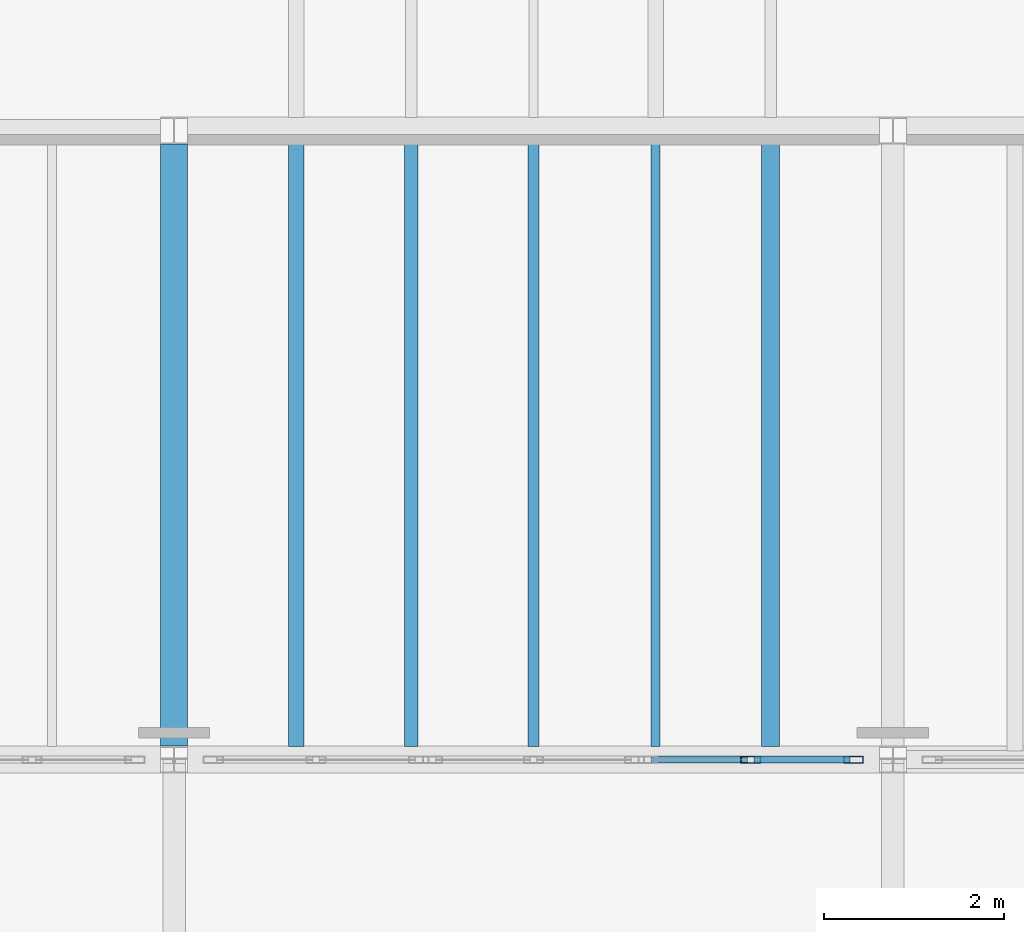
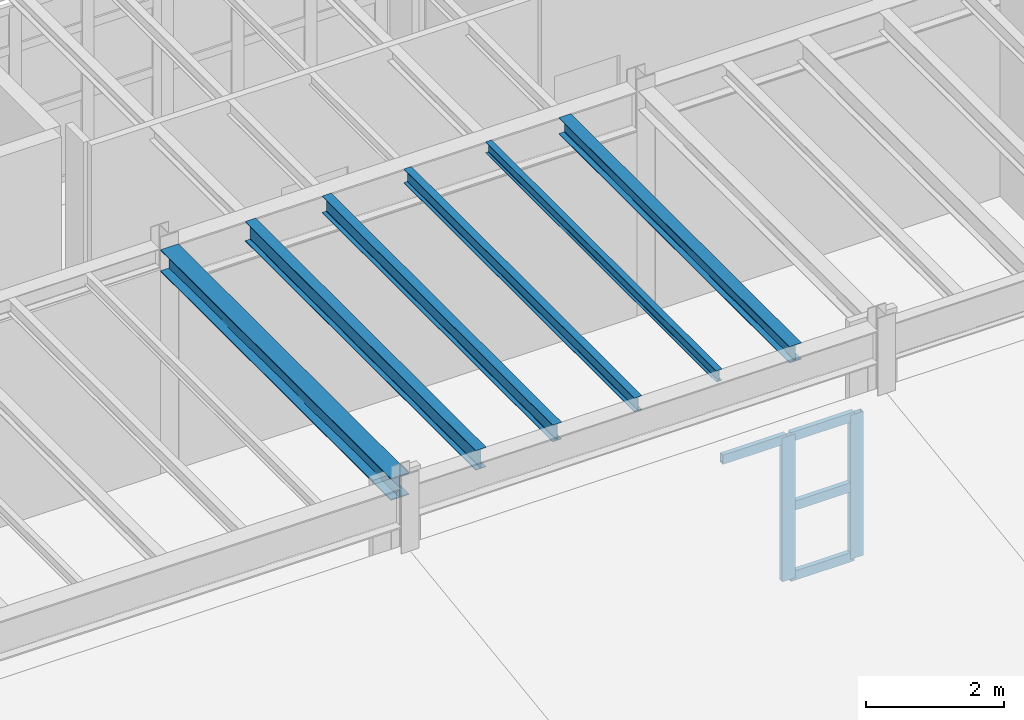
# One storey, part 9 of 77: 6 beams, 6 members, 1 element without a shape of its own.
"""IFC4 building model written with IfcOpenShell, lengths in metres."""

from ifc_helpers import new_model, si_unit, direction, frame, origin, origin_2d, place, context, subcontext, project, spatial, hollow_rectangle, i_section, extrude, material, material_profile, profile_set, type_object, element, aggregate, save


model = new_model("IFC4")

# Units and contexts
model_context = context("Model", 3, precision=1e-05, world=origin(), true_north=direction((0.0, 1.0)))
body_context = subcontext(model_context, "Body", "Model", "MODEL_VIEW")
ifc_project = project(units=[si_unit("LENGTHUNIT", "METRE"), si_unit("AREAUNIT", "SQUARE_METRE"), si_unit("VOLUMEUNIT", "CUBIC_METRE"), si_unit("PLANEANGLEUNIT", "RADIAN"), si_unit("MASSUNIT", "GRAM", prefix="KILO"), si_unit("THERMODYNAMICTEMPERATUREUNIT", "KELVIN"), si_unit("POWERUNIT", "WATT")], contexts=[model_context])

# Site, building, storey
site_placement = place(None, origin())
site = spatial("IfcSite", under=ifc_project, at=site_placement, CompositionType="ELEMENT")
building_placement = place(site_placement, origin())
building = spatial("IfcBuilding", under=site, at=building_placement, Name="Zhenchuan Central Fire Station", CompositionType="ELEMENT")
storey_placement = place(building_placement, frame((0.0, 0.0, 10.050048828125)))
storey = spatial("IfcBuildingStorey", under=building, at=storey_placement, Name="L03", CompositionType="ELEMENT", Elevation=10.050048828125)

# Beam
ifc_material_1 = material(Name="Steel Q355B", Category="steel")
ifc_material_profile_1 = material_profile(ifc_material_1, i_section(OverallWidth=0.300048828125, OverallDepth=0.389892578125, WebThickness=0.010009765625, FlangeThickness=0.01611328125, FilletRadius=0.02001953125, at=origin_2d()), Name="HM 390x300")
ifc_profile_set_1 = profile_set([ifc_material_profile_1], Name="Steel Q355B")
beam_type_1 = type_object("IfcBeamType", Name="BM-HM390-INT", PredefinedType="BEAM", material=ifc_profile_set_1)
beam_1_placement = place(storey_placement, frame((8.0, 42.64990234375, 3.784912109375), z_axis=(0.0, 1.0, 0.0), x_axis=(-1.0, 0.0, 0.0)))
element("IfcBeam", 1, at=beam_1_placement, inside=storey, type_object=beam_type_1, Name="L04 Girder NS 0393", PredefinedType="BEAM", context=body_context, shape_type="SweptSolid", body=[
    extrude(i_section(OverallWidth=0.300048828125, OverallDepth=0.389892578125, WebThickness=0.010009765625, FlangeThickness=0.01611328125, FilletRadius=0.02001953125, at=origin_2d()), origin(), (0.0, 0.0, 1.0), 6.7001953125),
])

# Curtain wall, members
ifc_material_2 = material(Name="Anodised aluminium and low-E glazing", Category="aluminium")
curtain_wall_type = type_object("IfcCurtainWallType", Name="CW-MOD-21", PredefinedType="USERDEFINED", material=ifc_material_2)
curtain_wall_placement = place(storey_placement, origin())
curtain_wall = element("IfcCurtainWall", 2, at=curtain_wall_placement, inside=storey, type_object=curtain_wall_type, Name="L03 Unitised Curtain Wall 042", ObjectType="UNITISED GLAZING", PredefinedType="USERDEFINED")
ifc_material_3 = material(Name="Anodised aluminium EN AW-6063", Category="aluminium")
ifc_material_profile_2 = material_profile(ifc_material_3, hollow_rectangle(XDim=0.080078125, YDim=0.219970703125, WallThickness=0.005615234375, at=origin_2d()), Name="ALU-M 220x80")
ifc_profile_set_2 = profile_set([ifc_material_profile_2], Name="Anodised aluminium EN AW-6063")
member_type_1 = type_object("IfcMemberType", Name="CW-MUL200", PredefinedType="MULLION", material=ifc_profile_set_2)
member_1_placement = place(storey_placement, frame((14.4189453125, 42.5, -0.004150390625), z_axis=(0.0, 0.0, 1.0), x_axis=(0.0, 1.0, 0.0)))
member_1 = element("IfcMember", 3, at=member_1_placement, type_object=member_type_1, Name="CW-21 mullion 2", PredefinedType="MULLION", context=body_context, shape_type="SweptSolid", body=[
    extrude(hollow_rectangle(XDim=0.080078125, YDim=0.219970703125, WallThickness=0.005615234375, at=origin_2d()), origin(), (0.0, 0.0, 1.0), 2.55419921875),
])
member_2_placement = place(storey_placement, frame((15.5625, 42.5, -0.004150390625), z_axis=(0.0, 0.0, 1.0), x_axis=(0.0, 1.0, 0.0)))
member_2 = element("IfcMember", 4, at=member_2_placement, type_object=member_type_1, Name="CW-21 mullion 3", PredefinedType="MULLION", context=body_context, shape_type="SweptSolid", body=[
    extrude(hollow_rectangle(XDim=0.080078125, YDim=0.219970703125, WallThickness=0.005615234375, at=origin_2d()), origin(), (0.0, 0.0, 1.0), 2.55419921875),
])
ifc_material_profile_3 = material_profile(ifc_material_3, hollow_rectangle(XDim=0.080078125, YDim=0.1650390625, WallThickness=0.0048828125, at=origin_2d()), Name="ALU-T 165x80")
ifc_profile_set_3 = profile_set([ifc_material_profile_3], Name="Anodised aluminium EN AW-6063")
member_type_2 = type_object("IfcMemberType", Name="CW-TRN150", PredefinedType="NOTDEFINED", material=ifc_profile_set_3)
member_3_placement = place(storey_placement, frame((13.31298828125, 42.5, 2.512451171875), z_axis=(1.0, 0.0, 0.0), x_axis=(0.0, 1.0, 0.0)))
member_3 = element("IfcMember", 5, at=member_3_placement, type_object=member_type_2, Name="CW-21 transom 1.3", ObjectType="TRANSOM", PredefinedType="USERDEFINED", context=body_context, shape_type="SweptSolid", body=[
    extrude(hollow_rectangle(XDim=0.080078125, YDim=0.1650390625, WallThickness=0.0048828125, at=origin_2d()), origin(), (0.0, 0.0, 1.0), 1.068603515625),
])
member_4_placement = place(storey_placement, frame((14.45654296875, 42.5, 0.033447265625), z_axis=(1.0, 0.0, 0.0), x_axis=(0.0, 1.0, 0.0)))
member_4 = element("IfcMember", 6, at=member_4_placement, type_object=member_type_2, Name="CW-21 transom 2.1", ObjectType="TRANSOM", PredefinedType="USERDEFINED", context=body_context, shape_type="SweptSolid", body=[
    extrude(hollow_rectangle(XDim=0.080078125, YDim=0.1650390625, WallThickness=0.0048828125, at=origin_2d()), origin(), (0.0, 0.0, 1.0), 1.068359375),
])
member_5_placement = place(storey_placement, frame((14.45654296875, 42.5, 1.27490234375), z_axis=(1.0, 0.0, 0.0), x_axis=(0.0, 1.0, 0.0)))
member_5 = element("IfcMember", 7, at=member_5_placement, type_object=member_type_2, Name="CW-21 transom 2.2", ObjectType="TRANSOM", PredefinedType="USERDEFINED", context=body_context, shape_type="SweptSolid", body=[
    extrude(hollow_rectangle(XDim=0.080078125, YDim=0.1650390625, WallThickness=0.0048828125, at=origin_2d()), origin(), (0.0, 0.0, 1.0), 1.068359375),
])
member_6_placement = place(storey_placement, frame((14.45654296875, 42.5, 2.512451171875), z_axis=(1.0, 0.0, 0.0), x_axis=(0.0, 1.0, 0.0)))
member_6 = element("IfcMember", 8, at=member_6_placement, type_object=member_type_2, Name="CW-21 transom 2.3", ObjectType="TRANSOM", PredefinedType="USERDEFINED", context=body_context, shape_type="SweptSolid", body=[
    extrude(hollow_rectangle(XDim=0.080078125, YDim=0.1650390625, WallThickness=0.0048828125, at=origin_2d()), origin(), (0.0, 0.0, 1.0), 1.068359375),
])
aggregate(curtain_wall, [member_1, member_2, member_3, member_4, member_5, member_6])

# Beams
ifc_material_profile_4 = material_profile(ifc_material_1, i_section(OverallWidth=0.199951171875, OverallDepth=0.2939453125, WebThickness=0.008056640625, FlangeThickness=0.011962890625, FilletRadius=0.01611328125, at=origin_2d()), Name="HM 294x200")
ifc_profile_set_4 = profile_set([ifc_material_profile_4], Name="Steel Q355B")
beam_type_2 = type_object("IfcBeamType", Name="JS-HM294", PredefinedType="JOIST", material=ifc_profile_set_4)
beam_2_placement = place(storey_placement, frame((14.639892578125, 42.64697265625, 3.8330078125), z_axis=(0.0, 1.0, 0.0), x_axis=(-1.0, 0.0, 0.0)))
element("IfcBeam", 9, at=beam_2_placement, inside=storey, type_object=beam_type_2, Name="L04 Secondary Joist 0643", PredefinedType="JOIST", context=body_context, shape_type="SweptSolid", body=[
    extrude(i_section(OverallWidth=0.199951171875, OverallDepth=0.2939453125, WebThickness=0.008056640625, FlangeThickness=0.011962890625, FilletRadius=0.01611328125, at=origin_2d()), origin(), (0.0, 0.0, 1.0), 6.7060546875),
])
ifc_material_profile_5 = material_profile(ifc_material_1, i_section(OverallWidth=0.10009765625, OverallDepth=0.199951171875, WebThickness=0.005615234375, FlangeThickness=0.008056640625, FilletRadius=0.010986328125, at=origin_2d()), Name="HN 200x100")
ifc_profile_set_5 = profile_set([ifc_material_profile_5], Name="Steel Q355B")
beam_type_3 = type_object("IfcBeamType", Name="JS-HN200", PredefinedType="JOIST", material=ifc_profile_set_5)
beam_3_placement = place(storey_placement, frame((13.360107421875, 42.64697265625, 3.8798828125), z_axis=(0.0, 1.0, 0.0), x_axis=(-1.0, 0.0, 0.0)))
element("IfcBeam", 10, at=beam_3_placement, inside=storey, type_object=beam_type_3, Name="L04 Secondary Joist 0642", PredefinedType="JOIST", context=body_context, shape_type="SweptSolid", body=[
    extrude(i_section(OverallWidth=0.10009765625, OverallDepth=0.199951171875, WebThickness=0.005615234375, FlangeThickness=0.008056640625, FilletRadius=0.010986328125, at=origin_2d()), origin(), (0.0, 0.0, 1.0), 6.7060546875),
])
ifc_material_profile_6 = material_profile(ifc_material_1, i_section(OverallWidth=0.125, OverallDepth=0.25, WebThickness=0.006103515625, FlangeThickness=0.009033203125, FilletRadius=0.011962890625, at=origin_2d()), Name="HN 250x125")
ifc_profile_set_6 = profile_set([ifc_material_profile_6], Name="Steel Q355B")
beam_type_4 = type_object("IfcBeamType", Name="JS-HN250", PredefinedType="JOIST", material=ifc_profile_set_6)
beam_4_placement = place(storey_placement, frame((12.0, 42.64697265625, 3.85498046875), z_axis=(0.0, 1.0, 0.0), x_axis=(-1.0, 0.0, 0.0)))
element("IfcBeam", 11, at=beam_4_placement, inside=storey, type_object=beam_type_4, Name="L04 Secondary Joist 0641", PredefinedType="JOIST", context=body_context, shape_type="SweptSolid", body=[
    extrude(i_section(OverallWidth=0.125, OverallDepth=0.25, WebThickness=0.006103515625, FlangeThickness=0.009033203125, FilletRadius=0.011962890625, at=origin_2d()), origin(), (0.0, 0.0, 1.0), 6.7060546875),
])
ifc_material_profile_7 = material_profile(ifc_material_1, i_section(OverallWidth=0.14990234375, OverallDepth=0.300048828125, WebThickness=0.006591796875, FlangeThickness=0.009033203125, FilletRadius=0.012939453125, at=origin_2d()), Name="HN 300x150")
ifc_profile_set_7 = profile_set([ifc_material_profile_7], Name="Steel Q355B")
beam_type_5 = type_object("IfcBeamType", Name="JS-HN300", PredefinedType="JOIST", material=ifc_profile_set_7)
beam_5_placement = place(storey_placement, frame((10.639892578125, 42.64697265625, 3.829833984375), z_axis=(0.0, 1.0, 0.0), x_axis=(-1.0, 0.0, 0.0)))
element("IfcBeam", 12, at=beam_5_placement, inside=storey, type_object=beam_type_5, Name="L04 Secondary Joist 0640", PredefinedType="JOIST", context=body_context, shape_type="SweptSolid", body=[
    extrude(i_section(OverallWidth=0.14990234375, OverallDepth=0.300048828125, WebThickness=0.006591796875, FlangeThickness=0.009033203125, FilletRadius=0.012939453125, at=origin_2d()), origin(), (0.0, 0.0, 1.0), 6.7060546875),
])
ifc_material_profile_8 = material_profile(ifc_material_1, i_section(OverallWidth=0.175048828125, OverallDepth=0.35009765625, WebThickness=0.007080078125, FlangeThickness=0.010986328125, FilletRadius=0.013916015625, at=origin_2d()), Name="HN 350x175")
ifc_profile_set_8 = profile_set([ifc_material_profile_8], Name="Steel Q355B")
beam_type_6 = type_object("IfcBeamType", Name="JS-HN350", PredefinedType="JOIST", material=ifc_profile_set_8)
beam_6_placement = place(storey_placement, frame((9.360107421875, 42.64697265625, 3.804931640625), z_axis=(0.0, 1.0, 0.0), x_axis=(-1.0, 0.0, 0.0)))
element("IfcBeam", 13, at=beam_6_placement, inside=storey, type_object=beam_type_6, Name="L04 Secondary Joist 0639", PredefinedType="JOIST", context=body_context, shape_type="SweptSolid", body=[
    extrude(i_section(OverallWidth=0.175048828125, OverallDepth=0.35009765625, WebThickness=0.007080078125, FlangeThickness=0.010986328125, FilletRadius=0.013916015625, at=origin_2d()), origin(), (0.0, 0.0, 1.0), 6.7060546875),
])

save(model, "model.ifc")
